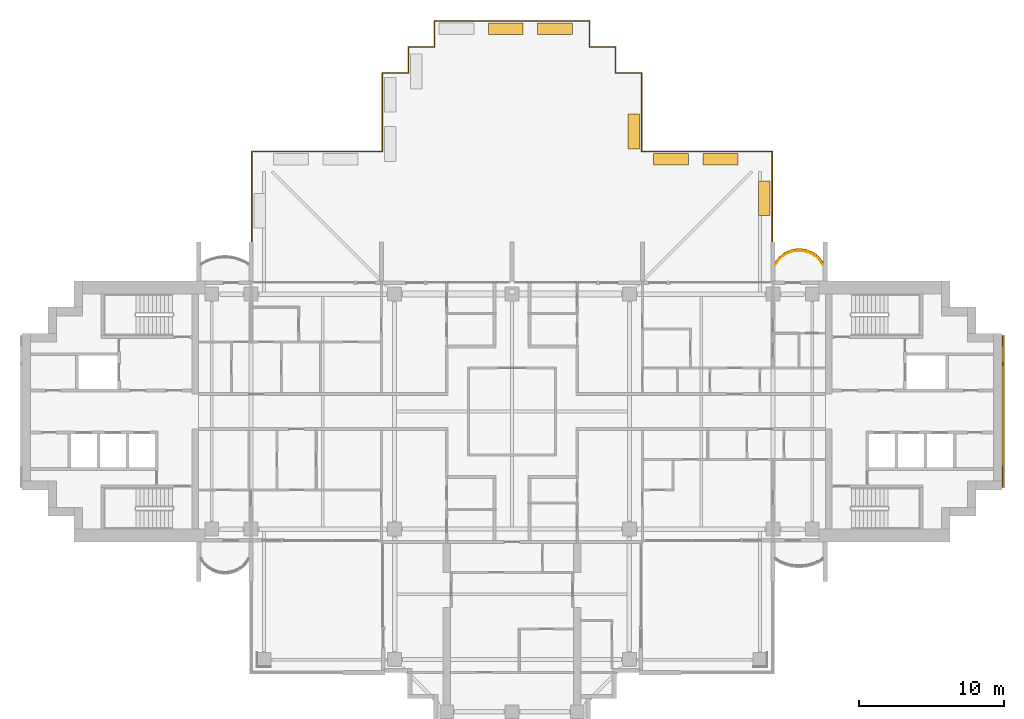
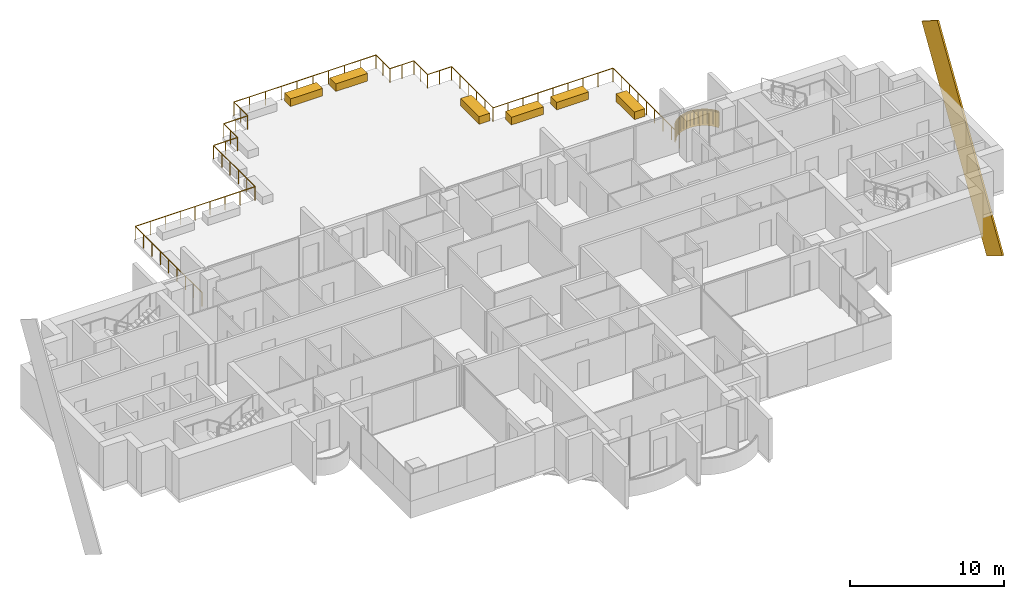
# One storey, part 18 of 18: 8 coverings, 2 railings.
"""IFC4 building model written with IfcOpenShell, lengths in metres."""

from ifc_helpers import new_model, si_unit, direction, frame, origin, origin_2d, place, context, subcontext, project, spatial, polyline, rectangle, outline, extrude, material, layer, layer_set, material_profile, profile_set, type_object, element, save


model = new_model("IFC4")

# Units and contexts
model_context = context("Model", 3, precision=1e-05, world=origin(), true_north=direction((0.0, 1.0)))
body_context = subcontext(model_context, "Body", "Model", "MODEL_VIEW")
ifc_project = project(units=[si_unit("LENGTHUNIT", "METRE"), si_unit("AREAUNIT", "SQUARE_METRE"), si_unit("VOLUMEUNIT", "CUBIC_METRE"), si_unit("PLANEANGLEUNIT", "RADIAN"), si_unit("MASSUNIT", "GRAM", prefix="KILO")], contexts=[model_context])

# Site, building, storey
site_placement = place(None, origin())
site = spatial("IfcSite", under=ifc_project, at=site_placement, CompositionType="ELEMENT")
building_placement = place(site_placement, origin())
building = spatial("IfcBuilding", under=site, at=building_placement, Name="Perihelion Cross Residences", CompositionType="ELEMENT")
storey_placement = place(building_placement, frame((0.0, 0.0, 166.60009765625)))
storey = spatial("IfcBuildingStorey", under=building, at=storey_placement, Name="L40", CompositionType="ELEMENT", Elevation=166.60009765625)

# Covering
ifc_material_1 = material(Name="Bronze anodised aluminium", Category="aluminium")
ifc_layer = layer(ifc_material_1, 0.070068359375)
ifc_layer_set = layer_set([ifc_layer], Name="Balcony fascia 1300")
covering_type_1 = type_object("IfcCoveringType", Name="Balcony fascia 1300", PredefinedType="CLADDING", material=ifc_layer_set)
covering_1_placement = place(storey_placement, frame((0.0, 0.0, -0.2001953125)))
element("IfcCovering", 1, at=covering_1_placement, inside=storey, type_object=covering_type_1, Name="Fascia BF1 L40 east side north bay 1", PredefinedType="CLADDING", context=body_context, shape_type="SweptSolid", body=[
    extrude(outline(polyline([(21.226318359375, 10.616455078125), (20.94091796875, 10.86328125), (20.655517578125, 11.031494140625), (20.370361328125, 11.142578125), (20.085205078125, 11.206298828125), (19.800048828125, 11.22705078125), (19.514892578125, 11.206298828125), (19.229736328125, 11.142578125), (18.9443359375, 11.031494140625), (18.6591796875, 10.86328125), (18.373779296875, 10.616455078125), (18.14990234375, 10.31689453125), (18.14990234375, 10.199951171875), (18.425048828125, 10.568603515625), (18.699951171875, 10.806396484375), (18.97509765625, 10.96875), (19.25, 11.07568359375), (19.52490234375, 11.136962890625), (19.800048828125, 11.156982421875), (20.074951171875, 11.136962890625), (20.35009765625, 11.07568359375), (20.625, 10.96875), (20.89990234375, 10.806396484375), (21.175048828125, 10.568603515625), (21.449951171875, 10.199951171875), (21.449951171875, 10.31689453125), (21.226318359375, 10.616455078125)])), origin(), (0.0, 0.0, 1.0), 1.300048828125),
])

# Railing
ifc_material_2 = material(Name="Bronze anodised aluminium", Category="aluminium")
railing_type_1 = type_object("IfcRailingType", Name="Balcony guard 1100", PredefinedType="GUARDRAIL", material=ifc_material_2)
railing_1_placement = place(storey_placement, frame((21.425048828125, 10.139892578125, 0.0)))
element("IfcRailing", 2, at=railing_1_placement, inside=storey, type_object=railing_type_1, Name="Guard GU1 L40 east side north bay 1 balcony", PredefinedType="GUARDRAIL", context=body_context, shape_type="SweptSolid", body=[
    extrude(rectangle(XDim=0.048095703125, YDim=0.048095703125, at=origin_2d()), frame((0.0, 0.0, 1.076171875), z_axis=(-0.561260132269, 0.827639452857, 0.0), x_axis=(-0.827639452857, -0.561260132269, 0.0)), (0.0, 0.0, 1.0), 0.4453125),
    extrude(rectangle(XDim=0.048095703125, YDim=0.048095703125, at=origin_2d()), frame((-0.25, 0.36865234375, 1.076171875), z_axis=(-0.756596535164, 0.653882009982, 0.0), x_axis=(-0.653882009982, -0.756596535164, 0.0)), (0.0, 0.0, 1.0), 0.36376953125),
    extrude(rectangle(XDim=0.048095703125, YDim=0.048095703125, at=origin_2d()), frame((-0.525146484375, 0.6064453125, 1.076171875), z_axis=(-0.861048292884, 0.508523192511, 0.0), x_axis=(-0.508523192511, -0.861048292884, 0.0)), (0.0, 0.0, 1.0), 0.3193359375),
    extrude(rectangle(XDim=0.048095703125, YDim=0.048095703125, at=origin_2d()), frame((-0.800048828125, 0.768798828125, 1.076171875), z_axis=(-0.931973602183, 0.362526143656, 0.0), x_axis=(-0.362526143656, -0.931973602183, 0.0)), (0.0, 0.0, 1.0), 0.294921875),
    extrude(rectangle(XDim=0.048095703125, YDim=0.048095703125, at=origin_2d()), frame((-1.074951171875, 0.875732421875, 1.076171875), z_axis=(-0.976085059389, 0.21738895289, 0.0), x_axis=(-0.21738895289, -0.976085059389, 0.0)), (0.0, 0.0, 1.0), 0.281982421875),
    extrude(rectangle(XDim=0.048095703125, YDim=0.048095703125, at=origin_2d()), frame((-1.35009765625, 0.93701171875, 1.076171875), z_axis=(-0.997358821833, 0.072631814734, 0.0), x_axis=(-0.072631814734, -0.997358821833, 0.0)), (0.0, 0.0, 1.0), 0.275634765625),
    extrude(rectangle(XDim=0.048095703125, YDim=0.048095703125, at=origin_2d()), frame((-1.625, 0.95703125, 1.076171875), z_axis=(-0.997363488337, -0.072567707226, 0.0), x_axis=(0.072567707226, -0.997363488337, 0.0)), (0.0, 0.0, 1.0), 0.27587890625),
    extrude(rectangle(XDim=0.048095703125, YDim=0.048095703125, at=origin_2d()), frame((-1.900146484375, 0.93701171875, 1.076171875), z_axis=(-0.976044077717, -0.217572880557, 0.0), x_axis=(0.217572880557, -0.976044077717, 0.0)), (0.0, 0.0, 1.0), 0.28173828125),
    extrude(rectangle(XDim=0.048095703125, YDim=0.048095703125, at=origin_2d()), frame((-2.175048828125, 0.875732421875, 1.076171875), z_axis=(-0.931973602183, -0.362526143656, 0.0), x_axis=(0.362526143656, -0.931973602183, 0.0)), (0.0, 0.0, 1.0), 0.294921875),
    extrude(rectangle(XDim=0.048095703125, YDim=0.048095703125, at=origin_2d()), frame((-2.449951171875, 0.768798828125, 1.076171875), z_axis=(-0.861245845072, -0.508188542123, 0.0), x_axis=(0.508188542123, -0.861245845072, 0.0)), (0.0, 0.0, 1.0), 0.319580078125),
    extrude(rectangle(XDim=0.048095703125, YDim=0.048095703125, at=origin_2d()), frame((-2.72509765625, 0.6064453125, 1.076171875), z_axis=(-0.756309278473, -0.654214242658, 0.0), x_axis=(0.654214242658, -0.756309278473, 0.0)), (0.0, 0.0, 1.0), 0.363525390625),
    extrude(rectangle(XDim=0.048095703125, YDim=0.048095703125, at=origin_2d()), frame((-3.0, 0.36865234375, 1.076171875), z_axis=(-0.561260132269, -0.827639452857, 0.0), x_axis=(0.827639452857, -0.561260132269, 0.0)), (0.0, 0.0, 1.0), 0.4453125),
    extrude(rectangle(XDim=0.0419921875, YDim=0.0419921875, at=origin_2d()), origin(), (0.0, 0.0, 1.0), 1.052001953125),
    extrude(rectangle(XDim=0.0419921875, YDim=0.0419921875, at=origin_2d()), frame((-0.25, 0.36865234375, 0.0)), (0.0, 0.0, 1.0), 1.052001953125),
    extrude(rectangle(XDim=0.0419921875, YDim=0.0419921875, at=origin_2d()), frame((-0.525146484375, 0.6064453125, 0.0)), (0.0, 0.0, 1.0), 1.052001953125),
    extrude(rectangle(XDim=0.0419921875, YDim=0.0419921875, at=origin_2d()), frame((-0.800048828125, 0.768798828125, 0.0)), (0.0, 0.0, 1.0), 1.052001953125),
    extrude(rectangle(XDim=0.0419921875, YDim=0.0419921875, at=origin_2d()), frame((-1.074951171875, 0.875732421875, 0.0)), (0.0, 0.0, 1.0), 1.052001953125),
    extrude(rectangle(XDim=0.0419921875, YDim=0.0419921875, at=origin_2d()), frame((-1.35009765625, 0.93701171875, 0.0)), (0.0, 0.0, 1.0), 1.052001953125),
    extrude(rectangle(XDim=0.0419921875, YDim=0.0419921875, at=origin_2d()), frame((-1.625, 0.95703125, 0.0)), (0.0, 0.0, 1.0), 1.052001953125),
    extrude(rectangle(XDim=0.0419921875, YDim=0.0419921875, at=origin_2d()), frame((-1.900146484375, 0.93701171875, 0.0)), (0.0, 0.0, 1.0), 1.052001953125),
    extrude(rectangle(XDim=0.0419921875, YDim=0.0419921875, at=origin_2d()), frame((-2.175048828125, 0.875732421875, 0.0)), (0.0, 0.0, 1.0), 1.052001953125),
    extrude(rectangle(XDim=0.0419921875, YDim=0.0419921875, at=origin_2d()), frame((-2.449951171875, 0.768798828125, 0.0)), (0.0, 0.0, 1.0), 1.052001953125),
    extrude(rectangle(XDim=0.0419921875, YDim=0.0419921875, at=origin_2d()), frame((-2.72509765625, 0.6064453125, 0.0)), (0.0, 0.0, 1.0), 1.052001953125),
    extrude(rectangle(XDim=0.0419921875, YDim=0.0419921875, at=origin_2d()), frame((-3.0, 0.36865234375, 0.0)), (0.0, 0.0, 1.0), 1.052001953125),
    extrude(rectangle(XDim=0.0419921875, YDim=0.0419921875, at=origin_2d()), frame((-3.25, 0.0, 0.0)), (0.0, 0.0, 1.0), 1.052001953125),
])

# Coverings
ifc_material_3 = material(Name="Bronze anodised aluminium", Category="aluminium")
ifc_material_profile = material_profile(ifc_material_3, rectangle(XDim=0.125, YDim=2.39990234375, at=origin_2d()), Name="Bronze cladding band 2400")
ifc_profile_set = profile_set([ifc_material_profile], Name="Bronze anodised aluminium")
covering_type_2 = type_object("IfcCoveringType", Name="Bronze cladding band 2400", PredefinedType="CLADDING", material=ifc_profile_set)
covering_2_placement = place(storey_placement, frame((33.862548828125, -4.232421875, -5.947509765625), z_axis=(0.0, 0.529931619435, 0.848040375644), x_axis=(-1.0, 0.0, 0.0)))
element("IfcCovering", 3, at=covering_2_placement, inside=storey, type_object=covering_type_2, Name="Core cladding band, east core", PredefinedType="CLADDING", context=body_context, shape_type="SweptSolid", body=[
    extrude(rectangle(XDim=0.125, YDim=2.39990234375, at=origin_2d()), origin(), (0.0, 0.0, 1.0), 15.973388671875),
])
ifc_material_4 = material(Name="Precast concrete C40/50", Category="concrete")
covering_type_3 = type_object("IfcCoveringType", Name="Planter box 2400", PredefinedType="USERDEFINED", material=ifc_material_4)
for number, where, z_axis, x_axis, name in (
    (4, (-0.429931640625, 26.389892578125, -0.000244140625), (0.0, 0.0, 1.0), (1.0, 0.0, 0.0), "Planter PT1 L40 terrace 1 8"),
    (5, (2.969970703125, 26.389892578125, -0.000244140625), (0.0, 0.0, 1.0), (1.0, 0.0, 0.0), "Planter PT1 L40 terrace 1 9"),
    (6, (8.389892578125, 19.31005859375, -0.000244140625), (0.0, 0.0, 1.0), (0.0, -1.0, 0.0), "Planter PT1 L40 terrace 1 10"),
    (7, (10.969970703125, 17.389892578125, -0.000244140625), (0.0, 0.0, 1.0), (1.0, 0.0, 0.0), "Planter PT1 L40 terrace 1 11"),
    (8, (14.3701171875, 17.389892578125, -0.000244140625), (0.0, 0.0, 1.0), (1.0, 0.0, 0.0), "Planter PT1 L40 terrace 1 12"),
    (9, (17.389892578125, 14.7099609375, -0.000244140625), (0.0, 0.0, 1.0), (0.0, -1.0, 0.0), "Planter PT1 L40 terrace 1 13"),
):
    element("IfcCovering", number, at=place(storey_placement, frame(where, z_axis=z_axis, x_axis=x_axis)), inside=storey, type_object=covering_type_3, Name=name, ObjectType="PLANTER", PredefinedType="USERDEFINED", context=body_context, shape_type="SweptSolid", body=[
        extrude(rectangle(XDim=2.39990234375, YDim=0.800048828125, at=origin_2d()), origin(), (0.0, 0.0, 1.0), 0.60009765625),
    ])

# Railing
ifc_material_5 = material(Name="Bronze anodised aluminium", Category="aluminium")
railing_type_2 = type_object("IfcRailingType", Name="Terrace guard 1100", PredefinedType="GUARDRAIL", material=ifc_material_5)
railing_2_placement = place(storey_placement, frame((-17.93994140625, 9.25, 0.0)))
element("IfcRailing", 10, at=railing_2_placement, inside=storey, type_object=railing_type_2, Name="Guard GU2 L40 terrace 1 1", PredefinedType="GUARDRAIL", context=body_context, shape_type="SweptSolid", body=[
    extrude(rectangle(XDim=0.048095703125, YDim=0.048095703125, at=origin_2d()), frame((0.0, 0.0, 1.076171875), z_axis=(0.0, 1.0, 0.0), x_axis=(-1.0, 0.0, 0.0)), (0.0, 0.0, 1.0), 8.68994140625),
    extrude(rectangle(XDim=0.048095703125, YDim=0.048095703125, at=origin_2d()), frame((0.0, 8.68994140625, 1.076171875), z_axis=(1.0, 0.0, 0.0), x_axis=(0.0, 1.0, 0.0)), (0.0, 0.0, 1.0), 9.0),
    extrude(rectangle(XDim=0.048095703125, YDim=0.048095703125, at=origin_2d()), frame((9.0, 8.68994140625, 1.076171875), z_axis=(0.0, 1.0, 0.0), x_axis=(-1.0, 0.0, 0.0)), (0.0, 0.0, 1.0), 5.400146484375),
    extrude(rectangle(XDim=0.048095703125, YDim=0.048095703125, at=origin_2d()), frame((9.0, 14.090087890625, 1.076171875), z_axis=(1.0, 0.0, 0.0), x_axis=(0.0, 1.0, 0.0)), (0.0, 0.0, 1.0), 1.800048828125),
    extrude(rectangle(XDim=0.048095703125, YDim=0.048095703125, at=origin_2d()), frame((10.800048828125, 14.090087890625, 1.076171875), z_axis=(0.0, 1.0, 0.0), x_axis=(-1.0, 0.0, 0.0)), (0.0, 0.0, 1.0), 1.7998046875),
    extrude(rectangle(XDim=0.048095703125, YDim=0.048095703125, at=origin_2d()), frame((10.800048828125, 15.889892578125, 1.076171875), z_axis=(1.0, 0.0, 0.0), x_axis=(0.0, 1.0, 0.0)), (0.0, 0.0, 1.0), 1.7998046875),
    extrude(rectangle(XDim=0.048095703125, YDim=0.048095703125, at=origin_2d()), frame((12.599853515625, 15.889892578125, 1.076171875), z_axis=(0.0, 1.0, 0.0), x_axis=(-1.0, 0.0, 0.0)), (0.0, 0.0, 1.0), 1.800048828125),
    extrude(rectangle(XDim=0.048095703125, YDim=0.048095703125, at=origin_2d()), frame((12.599853515625, 17.68994140625, 1.076171875), z_axis=(1.0, 0.0, 0.0), x_axis=(0.0, 1.0, 0.0)), (0.0, 0.0, 1.0), 10.68017578125),
    extrude(rectangle(XDim=0.048095703125, YDim=0.048095703125, at=origin_2d()), frame((23.280029296875, 17.68994140625, 1.076171875), z_axis=(0.0, -1.0, 0.0), x_axis=(1.0, 0.0, 0.0)), (0.0, 0.0, 1.0), 1.800048828125),
    extrude(rectangle(XDim=0.048095703125, YDim=0.048095703125, at=origin_2d()), frame((23.280029296875, 15.889892578125, 1.076171875), z_axis=(1.0, 0.0, 0.0), x_axis=(0.0, 1.0, 0.0)), (0.0, 0.0, 1.0), 1.7998046875),
    extrude(rectangle(XDim=0.048095703125, YDim=0.048095703125, at=origin_2d()), frame((25.079833984375, 15.889892578125, 1.076171875), z_axis=(0.0, -1.0, 0.0), x_axis=(1.0, 0.0, 0.0)), (0.0, 0.0, 1.0), 1.7998046875),
    extrude(rectangle(XDim=0.048095703125, YDim=0.048095703125, at=origin_2d()), frame((25.079833984375, 14.090087890625, 1.076171875), z_axis=(1.0, 0.0, 0.0), x_axis=(0.0, 1.0, 0.0)), (0.0, 0.0, 1.0), 1.800048828125),
    extrude(rectangle(XDim=0.048095703125, YDim=0.048095703125, at=origin_2d()), frame((26.8798828125, 14.090087890625, 1.076171875), z_axis=(0.0, -1.0, 0.0), x_axis=(1.0, 0.0, 0.0)), (0.0, 0.0, 1.0), 5.400146484375),
    extrude(rectangle(XDim=0.048095703125, YDim=0.048095703125, at=origin_2d()), frame((26.8798828125, 8.68994140625, 1.076171875), z_axis=(1.0, 0.0, 0.0), x_axis=(0.0, 1.0, 0.0)), (0.0, 0.0, 1.0), 9.0),
    extrude(rectangle(XDim=0.048095703125, YDim=0.048095703125, at=origin_2d()), frame((35.8798828125, 8.68994140625, 1.076171875), z_axis=(0.0, -1.0, 0.0), x_axis=(1.0, 0.0, 0.0)), (0.0, 0.0, 1.0), 8.68994140625),
    extrude(rectangle(XDim=0.0419921875, YDim=0.0419921875, at=origin_2d()), origin(), (0.0, 0.0, 1.0), 1.052001953125),
    extrude(rectangle(XDim=0.0419921875, YDim=0.0419921875, at=origin_2d()), frame((0.0, 1.086181640625, 0.0)), (0.0, 0.0, 1.0), 1.052001953125),
    extrude(rectangle(XDim=0.0419921875, YDim=0.0419921875, at=origin_2d()), frame((0.0, 2.17236328125, 0.0)), (0.0, 0.0, 1.0), 1.052001953125),
    extrude(rectangle(XDim=0.0419921875, YDim=0.0419921875, at=origin_2d()), frame((0.0, 3.2587890625, 0.0)), (0.0, 0.0, 1.0), 1.052001953125),
    extrude(rectangle(XDim=0.0419921875, YDim=0.0419921875, at=origin_2d()), frame((0.0, 4.344970703125, 0.0)), (0.0, 0.0, 1.0), 1.052001953125),
    extrude(rectangle(XDim=0.0419921875, YDim=0.0419921875, at=origin_2d()), frame((0.0, 5.43115234375, 0.0)), (0.0, 0.0, 1.0), 1.052001953125),
    extrude(rectangle(XDim=0.0419921875, YDim=0.0419921875, at=origin_2d()), frame((0.0, 6.517578125, 0.0)), (0.0, 0.0, 1.0), 1.052001953125),
    extrude(rectangle(XDim=0.0419921875, YDim=0.0419921875, at=origin_2d()), frame((0.0, 7.603759765625, 0.0)), (0.0, 0.0, 1.0), 1.052001953125),
    extrude(rectangle(XDim=0.0419921875, YDim=0.0419921875, at=origin_2d()), frame((0.0, 8.68994140625, 0.0)), (0.0, 0.0, 1.0), 1.052001953125),
    extrude(rectangle(XDim=0.0419921875, YDim=0.0419921875, at=origin_2d()), frame((1.125, 8.68994140625, 0.0)), (0.0, 0.0, 1.0), 1.052001953125),
    extrude(rectangle(XDim=0.0419921875, YDim=0.0419921875, at=origin_2d()), frame((2.25, 8.68994140625, 0.0)), (0.0, 0.0, 1.0), 1.052001953125),
    extrude(rectangle(XDim=0.0419921875, YDim=0.0419921875, at=origin_2d()), frame((3.375, 8.68994140625, 0.0)), (0.0, 0.0, 1.0), 1.052001953125),
    extrude(rectangle(XDim=0.0419921875, YDim=0.0419921875, at=origin_2d()), frame((4.5, 8.68994140625, 0.0)), (0.0, 0.0, 1.0), 1.052001953125),
    extrude(rectangle(XDim=0.0419921875, YDim=0.0419921875, at=origin_2d()), frame((5.625, 8.68994140625, 0.0)), (0.0, 0.0, 1.0), 1.052001953125),
    extrude(rectangle(XDim=0.0419921875, YDim=0.0419921875, at=origin_2d()), frame((6.75, 8.68994140625, 0.0)), (0.0, 0.0, 1.0), 1.052001953125),
    extrude(rectangle(XDim=0.0419921875, YDim=0.0419921875, at=origin_2d()), frame((7.875, 8.68994140625, 0.0)), (0.0, 0.0, 1.0), 1.052001953125),
    extrude(rectangle(XDim=0.0419921875, YDim=0.0419921875, at=origin_2d()), frame((9.0, 8.68994140625, 0.0)), (0.0, 0.0, 1.0), 1.052001953125),
    extrude(rectangle(XDim=0.0419921875, YDim=0.0419921875, at=origin_2d()), frame((9.0, 9.77001953125, 0.0)), (0.0, 0.0, 1.0), 1.052001953125),
    extrude(rectangle(XDim=0.0419921875, YDim=0.0419921875, at=origin_2d()), frame((9.0, 10.85009765625, 0.0)), (0.0, 0.0, 1.0), 1.052001953125),
    extrude(rectangle(XDim=0.0419921875, YDim=0.0419921875, at=origin_2d()), frame((9.0, 11.929931640625, 0.0)), (0.0, 0.0, 1.0), 1.052001953125),
    extrude(rectangle(XDim=0.0419921875, YDim=0.0419921875, at=origin_2d()), frame((9.0, 13.010009765625, 0.0)), (0.0, 0.0, 1.0), 1.052001953125),
    extrude(rectangle(XDim=0.0419921875, YDim=0.0419921875, at=origin_2d()), frame((9.0, 14.090087890625, 0.0)), (0.0, 0.0, 1.0), 1.052001953125),
    extrude(rectangle(XDim=0.0419921875, YDim=0.0419921875, at=origin_2d()), frame((9.89990234375, 14.090087890625, 0.0)), (0.0, 0.0, 1.0), 1.052001953125),
    extrude(rectangle(XDim=0.0419921875, YDim=0.0419921875, at=origin_2d()), frame((10.800048828125, 14.090087890625, 0.0)), (0.0, 0.0, 1.0), 1.052001953125),
    extrude(rectangle(XDim=0.0419921875, YDim=0.0419921875, at=origin_2d()), frame((10.800048828125, 14.989990234375, 0.0)), (0.0, 0.0, 1.0), 1.052001953125),
    extrude(rectangle(XDim=0.0419921875, YDim=0.0419921875, at=origin_2d()), frame((10.800048828125, 15.889892578125, 0.0)), (0.0, 0.0, 1.0), 1.052001953125),
    extrude(rectangle(XDim=0.0419921875, YDim=0.0419921875, at=origin_2d()), frame((11.699951171875, 15.889892578125, 0.0)), (0.0, 0.0, 1.0), 1.052001953125),
    extrude(rectangle(XDim=0.0419921875, YDim=0.0419921875, at=origin_2d()), frame((12.599853515625, 15.889892578125, 0.0)), (0.0, 0.0, 1.0), 1.052001953125),
    extrude(rectangle(XDim=0.0419921875, YDim=0.0419921875, at=origin_2d()), frame((12.599853515625, 16.7900390625, 0.0)), (0.0, 0.0, 1.0), 1.052001953125),
    extrude(rectangle(XDim=0.0419921875, YDim=0.0419921875, at=origin_2d()), frame((12.599853515625, 17.68994140625, 0.0)), (0.0, 0.0, 1.0), 1.052001953125),
    extrude(rectangle(XDim=0.0419921875, YDim=0.0419921875, at=origin_2d()), frame((13.78662109375, 17.68994140625, 0.0)), (0.0, 0.0, 1.0), 1.052001953125),
    extrude(rectangle(XDim=0.0419921875, YDim=0.0419921875, at=origin_2d()), frame((14.97314453125, 17.68994140625, 0.0)), (0.0, 0.0, 1.0), 1.052001953125),
    extrude(rectangle(XDim=0.0419921875, YDim=0.0419921875, at=origin_2d()), frame((16.159912109375, 17.68994140625, 0.0)), (0.0, 0.0, 1.0), 1.052001953125),
    extrude(rectangle(XDim=0.0419921875, YDim=0.0419921875, at=origin_2d()), frame((17.3466796875, 17.68994140625, 0.0)), (0.0, 0.0, 1.0), 1.052001953125),
    extrude(rectangle(XDim=0.0419921875, YDim=0.0419921875, at=origin_2d()), frame((18.533203125, 17.68994140625, 0.0)), (0.0, 0.0, 1.0), 1.052001953125),
    extrude(rectangle(XDim=0.0419921875, YDim=0.0419921875, at=origin_2d()), frame((19.719970703125, 17.68994140625, 0.0)), (0.0, 0.0, 1.0), 1.052001953125),
    extrude(rectangle(XDim=0.0419921875, YDim=0.0419921875, at=origin_2d()), frame((20.90673828125, 17.68994140625, 0.0)), (0.0, 0.0, 1.0), 1.052001953125),
    extrude(rectangle(XDim=0.0419921875, YDim=0.0419921875, at=origin_2d()), frame((22.09326171875, 17.68994140625, 0.0)), (0.0, 0.0, 1.0), 1.052001953125),
    extrude(rectangle(XDim=0.0419921875, YDim=0.0419921875, at=origin_2d()), frame((23.280029296875, 17.68994140625, 0.0)), (0.0, 0.0, 1.0), 1.052001953125),
    extrude(rectangle(XDim=0.0419921875, YDim=0.0419921875, at=origin_2d()), frame((23.280029296875, 16.7900390625, 0.0)), (0.0, 0.0, 1.0), 1.052001953125),
    extrude(rectangle(XDim=0.0419921875, YDim=0.0419921875, at=origin_2d()), frame((23.280029296875, 15.889892578125, 0.0)), (0.0, 0.0, 1.0), 1.052001953125),
    extrude(rectangle(XDim=0.0419921875, YDim=0.0419921875, at=origin_2d()), frame((24.179931640625, 15.889892578125, 0.0)), (0.0, 0.0, 1.0), 1.052001953125),
    extrude(rectangle(XDim=0.0419921875, YDim=0.0419921875, at=origin_2d()), frame((25.079833984375, 15.889892578125, 0.0)), (0.0, 0.0, 1.0), 1.052001953125),
    extrude(rectangle(XDim=0.0419921875, YDim=0.0419921875, at=origin_2d()), frame((25.079833984375, 14.989990234375, 0.0)), (0.0, 0.0, 1.0), 1.052001953125),
    extrude(rectangle(XDim=0.0419921875, YDim=0.0419921875, at=origin_2d()), frame((25.079833984375, 14.090087890625, 0.0)), (0.0, 0.0, 1.0), 1.052001953125),
    extrude(rectangle(XDim=0.0419921875, YDim=0.0419921875, at=origin_2d()), frame((25.97998046875, 14.090087890625, 0.0)), (0.0, 0.0, 1.0), 1.052001953125),
    extrude(rectangle(XDim=0.0419921875, YDim=0.0419921875, at=origin_2d()), frame((26.8798828125, 14.090087890625, 0.0)), (0.0, 0.0, 1.0), 1.052001953125),
    extrude(rectangle(XDim=0.0419921875, YDim=0.0419921875, at=origin_2d()), frame((26.8798828125, 13.010009765625, 0.0)), (0.0, 0.0, 1.0), 1.052001953125),
    extrude(rectangle(XDim=0.0419921875, YDim=0.0419921875, at=origin_2d()), frame((26.8798828125, 11.929931640625, 0.0)), (0.0, 0.0, 1.0), 1.052001953125),
    extrude(rectangle(XDim=0.0419921875, YDim=0.0419921875, at=origin_2d()), frame((26.8798828125, 10.85009765625, 0.0)), (0.0, 0.0, 1.0), 1.052001953125),
    extrude(rectangle(XDim=0.0419921875, YDim=0.0419921875, at=origin_2d()), frame((26.8798828125, 9.77001953125, 0.0)), (0.0, 0.0, 1.0), 1.052001953125),
    extrude(rectangle(XDim=0.0419921875, YDim=0.0419921875, at=origin_2d()), frame((26.8798828125, 8.68994140625, 0.0)), (0.0, 0.0, 1.0), 1.052001953125),
    extrude(rectangle(XDim=0.0419921875, YDim=0.0419921875, at=origin_2d()), frame((28.0048828125, 8.68994140625, 0.0)), (0.0, 0.0, 1.0), 1.052001953125),
    extrude(rectangle(XDim=0.0419921875, YDim=0.0419921875, at=origin_2d()), frame((29.1298828125, 8.68994140625, 0.0)), (0.0, 0.0, 1.0), 1.052001953125),
    extrude(rectangle(XDim=0.0419921875, YDim=0.0419921875, at=origin_2d()), frame((30.2548828125, 8.68994140625, 0.0)), (0.0, 0.0, 1.0), 1.052001953125),
    extrude(rectangle(XDim=0.0419921875, YDim=0.0419921875, at=origin_2d()), frame((31.3798828125, 8.68994140625, 0.0)), (0.0, 0.0, 1.0), 1.052001953125),
    extrude(rectangle(XDim=0.0419921875, YDim=0.0419921875, at=origin_2d()), frame((32.5048828125, 8.68994140625, 0.0)), (0.0, 0.0, 1.0), 1.052001953125),
    extrude(rectangle(XDim=0.0419921875, YDim=0.0419921875, at=origin_2d()), frame((33.6298828125, 8.68994140625, 0.0)), (0.0, 0.0, 1.0), 1.052001953125),
    extrude(rectangle(XDim=0.0419921875, YDim=0.0419921875, at=origin_2d()), frame((34.7548828125, 8.68994140625, 0.0)), (0.0, 0.0, 1.0), 1.052001953125),
    extrude(rectangle(XDim=0.0419921875, YDim=0.0419921875, at=origin_2d()), frame((35.8798828125, 8.68994140625, 0.0)), (0.0, 0.0, 1.0), 1.052001953125),
    extrude(rectangle(XDim=0.0419921875, YDim=0.0419921875, at=origin_2d()), frame((35.8798828125, 7.603759765625, 0.0)), (0.0, 0.0, 1.0), 1.052001953125),
    extrude(rectangle(XDim=0.0419921875, YDim=0.0419921875, at=origin_2d()), frame((35.8798828125, 6.517578125, 0.0)), (0.0, 0.0, 1.0), 1.052001953125),
    extrude(rectangle(XDim=0.0419921875, YDim=0.0419921875, at=origin_2d()), frame((35.8798828125, 5.43115234375, 0.0)), (0.0, 0.0, 1.0), 1.052001953125),
    extrude(rectangle(XDim=0.0419921875, YDim=0.0419921875, at=origin_2d()), frame((35.8798828125, 4.344970703125, 0.0)), (0.0, 0.0, 1.0), 1.052001953125),
    extrude(rectangle(XDim=0.0419921875, YDim=0.0419921875, at=origin_2d()), frame((35.8798828125, 3.2587890625, 0.0)), (0.0, 0.0, 1.0), 1.052001953125),
    extrude(rectangle(XDim=0.0419921875, YDim=0.0419921875, at=origin_2d()), frame((35.8798828125, 2.17236328125, 0.0)), (0.0, 0.0, 1.0), 1.052001953125),
    extrude(rectangle(XDim=0.0419921875, YDim=0.0419921875, at=origin_2d()), frame((35.8798828125, 1.086181640625, 0.0)), (0.0, 0.0, 1.0), 1.052001953125),
    extrude(rectangle(XDim=0.0419921875, YDim=0.0419921875, at=origin_2d()), frame((35.8798828125, 0.0, 0.0)), (0.0, 0.0, 1.0), 1.052001953125),
])

save(model, "model.ifc")
